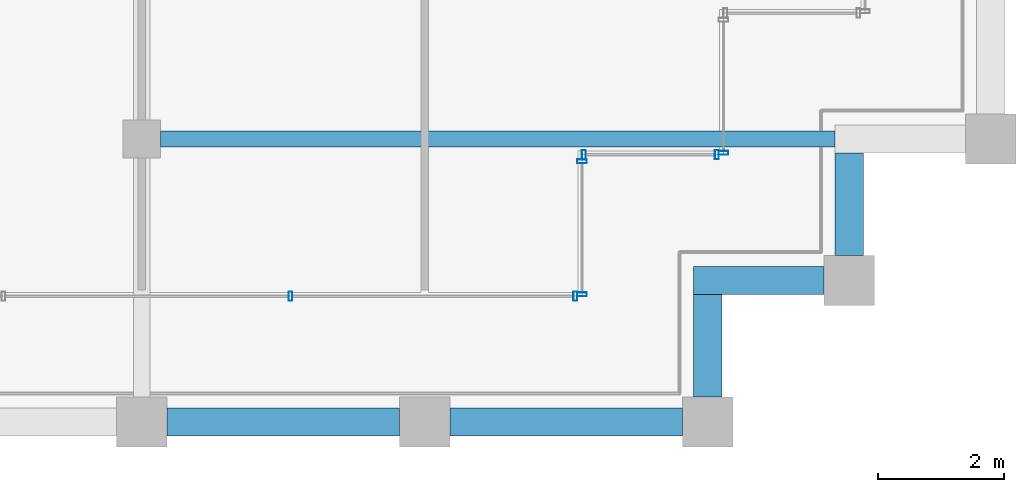
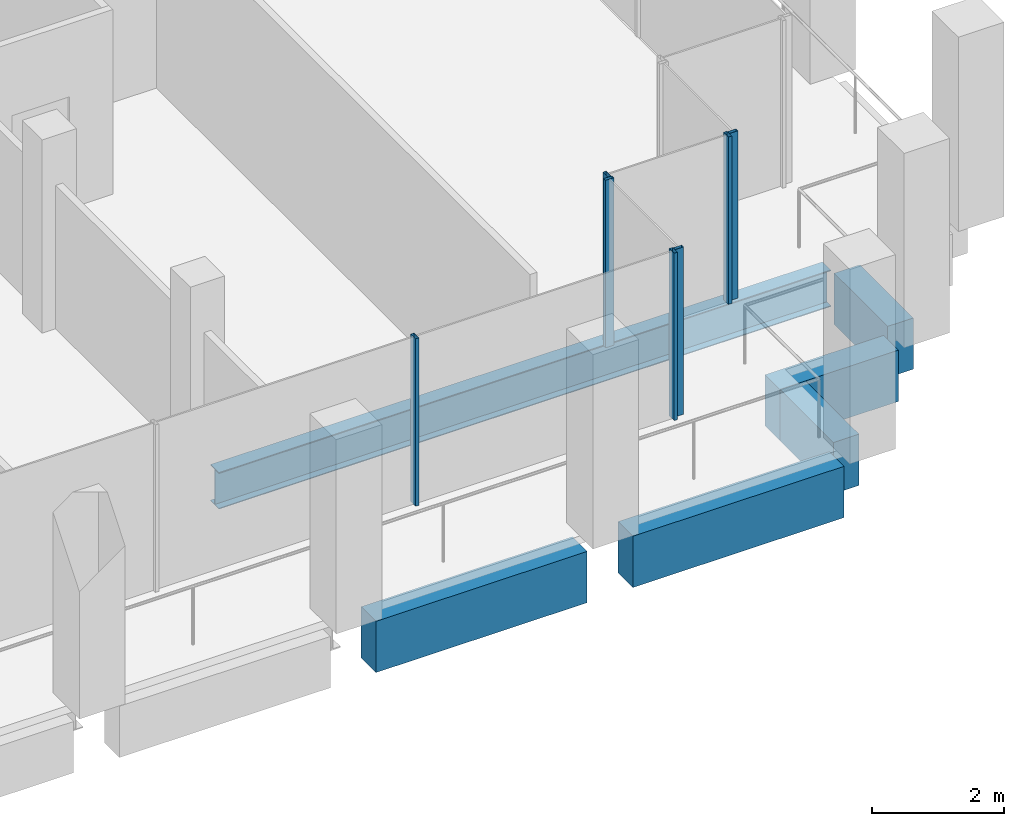
# One storey, part 12 of 30: 7 members, 6 beams, 4 elements without a shape of their own.
"""IFC4 building model written with IfcOpenShell, lengths in metres."""

from ifc_helpers import new_model, si_unit, direction, frame, origin, origin_2d, place, context, subcontext, project, spatial, rectangle, hollow_rectangle, i_section, extrude, material, material_profile, profile_set, type_object, element, aggregate, save


model = new_model("IFC4")

# Units and contexts
model_context = context("Model", 3, precision=1e-05, world=origin(), true_north=direction((0.0, 1.0)))
body_context = subcontext(model_context, "Body", "Model", "MODEL_VIEW")
ifc_project = project(units=[si_unit("LENGTHUNIT", "METRE"), si_unit("AREAUNIT", "SQUARE_METRE"), si_unit("VOLUMEUNIT", "CUBIC_METRE"), si_unit("PLANEANGLEUNIT", "RADIAN"), si_unit("MASSUNIT", "GRAM", prefix="KILO")], contexts=[model_context])

# Site, building, storey
site_placement = place(None, origin())
site = spatial("IfcSite", under=ifc_project, at=site_placement, CompositionType="ELEMENT")
building_placement = place(site_placement, origin())
building = spatial("IfcBuilding", under=site, at=building_placement, Name="Altepetl Exchange Towers", CompositionType="ELEMENT")
storey_placement = place(building_placement, frame((0.0, 0.0, 217.199951171875)))
storey = spatial("IfcBuildingStorey", under=building, at=storey_placement, Name="L55", CompositionType="ELEMENT", Elevation=217.199951171875)

# Beam
ifc_material_1 = material(Name="Steel S355", Category="steel")
ifc_material_profile_1 = material_profile(ifc_material_1, i_section(OverallWidth=0.2529296875, OverallDepth=0.677978515625, WebThickness=0.01171875, FlangeThickness=0.016357421875, at=origin_2d()), Name="W27X84")
ifc_profile_set_1 = profile_set([ifc_material_profile_1], Name="Steel S355")
beam_type_1 = type_object("IfcBeamType", Name="Floor beam W27X84", PredefinedType="BEAM", material=ifc_profile_set_1)
beam_1_placement = place(storey_placement, frame((58.800048828125, 31.5, -0.489013671875), z_axis=(1.0, 0.0, 0.0), x_axis=(0.0, 1.0, 0.0)))
element("IfcBeam", 1, at=beam_1_placement, inside=storey, type_object=beam_type_1, Name="bm:A:L55:006", PredefinedType="BEAM", context=body_context, shape_type="SweptSolid", body=[
    extrude(i_section(OverallWidth=0.2529296875, OverallDepth=0.677978515625, WebThickness=0.01171875, FlangeThickness=0.016357421875, at=origin_2d()), origin(), (0.0, 0.0, 1.0), 10.724853515625),
])

# Curtain wall, members
ifc_material_2 = material(Name="Aluminium 6063-T6 glazing", Category="aluminium")
curtain_wall_type = type_object("IfcCurtainWallType", Name="Loggia glazing system", PredefinedType="NOTDEFINED", material=ifc_material_2)
curtain_wall_1_placement = place(storey_placement, origin())
curtain_wall_1 = element("IfcCurtainWall", 2, at=curtain_wall_1_placement, inside=storey, type_object=curtain_wall_type, Name="CW1 run", PredefinedType="NOTDEFINED")
ifc_material_3 = material(Name="Aluminium 6063-T6", Category="aluminium")
ifc_material_profile_2 = material_profile(ifc_material_3, hollow_rectangle(XDim=0.06005859375, YDim=0.14990234375, WallThickness=0.0029296875, at=origin_2d()), Name="Mullion 60x150 aluminium")
ifc_profile_set_2 = profile_set([ifc_material_profile_2], Name="Aluminium 6063-T6")
member_type = type_object("IfcMemberType", Name="Mullion 60x150 aluminium", PredefinedType="MULLION", material=ifc_profile_set_2)
member_1_placement = place(storey_placement, frame((60.8642578125, 29.0, 0.0)))
member_1 = element("IfcMember", 3, at=member_1_placement, type_object=member_type, Name="MU1 mullion", PredefinedType="MULLION", context=body_context, shape_type="SweptSolid", body=[
    extrude(hollow_rectangle(XDim=0.06005859375, YDim=0.14990234375, WallThickness=0.0029296875, at=origin_2d()), origin(), (0.0, 0.0, 1.0), 3.10009765625),
])
member_2_placement = place(storey_placement, frame((65.39501953125, 29.0, 0.0)))
member_2 = element("IfcMember", 4, at=member_2_placement, type_object=member_type, Name="MU1 mullion", PredefinedType="MULLION", context=body_context, shape_type="SweptSolid", body=[
    extrude(hollow_rectangle(XDim=0.06005859375, YDim=0.14990234375, WallThickness=0.0029296875, at=origin_2d()), origin(), (0.0, 0.0, 1.0), 3.10009765625),
])
aggregate(curtain_wall_1, [member_1, member_2])

curtain_wall_2_placement = place(storey_placement, origin())
curtain_wall_2 = element("IfcCurtainWall", 5, at=curtain_wall_2_placement, inside=storey, type_object=curtain_wall_type, Name="CW1 run", PredefinedType="NOTDEFINED")
member_3_placement = place(storey_placement, frame((65.5, 29.030029296875, 0.0), z_axis=(0.0, 0.0, 1.0), x_axis=(0.0, 1.0, 0.0)))
member_3 = element("IfcMember", 6, at=member_3_placement, type_object=member_type, Name="MU1 mullion", PredefinedType="MULLION", context=body_context, shape_type="SweptSolid", body=[
    extrude(hollow_rectangle(XDim=0.06005859375, YDim=0.14990234375, WallThickness=0.0029296875, at=origin_2d()), origin(), (0.0, 0.0, 1.0), 3.10009765625),
])
member_4_placement = place(storey_placement, frame((65.5, 31.14501953125, 0.0), z_axis=(0.0, 0.0, 1.0), x_axis=(0.0, 1.0, 0.0)))
member_4 = element("IfcMember", 7, at=member_4_placement, type_object=member_type, Name="MU1 mullion", PredefinedType="MULLION", context=body_context, shape_type="SweptSolid", body=[
    extrude(hollow_rectangle(XDim=0.06005859375, YDim=0.14990234375, WallThickness=0.0029296875, at=origin_2d()), origin(), (0.0, 0.0, 1.0), 3.10009765625),
])
aggregate(curtain_wall_2, [member_3, member_4])

curtain_wall_3_placement = place(storey_placement, origin())
curtain_wall_3 = element("IfcCurtainWall", 8, at=curtain_wall_3_placement, inside=storey, type_object=curtain_wall_type, Name="CW1 run", PredefinedType="NOTDEFINED")
member_5_placement = place(storey_placement, frame((65.530029296875, 31.25, 0.0)))
member_5 = element("IfcMember", 9, at=member_5_placement, type_object=member_type, Name="MU1 mullion", PredefinedType="MULLION", context=body_context, shape_type="SweptSolid", body=[
    extrude(hollow_rectangle(XDim=0.06005859375, YDim=0.14990234375, WallThickness=0.0029296875, at=origin_2d()), origin(), (0.0, 0.0, 1.0), 3.10009765625),
])
member_6_placement = place(storey_placement, frame((67.64501953125, 31.25, 0.0)))
member_6 = element("IfcMember", 10, at=member_6_placement, type_object=member_type, Name="MU1 mullion", PredefinedType="MULLION", context=body_context, shape_type="SweptSolid", body=[
    extrude(hollow_rectangle(XDim=0.06005859375, YDim=0.14990234375, WallThickness=0.0029296875, at=origin_2d()), origin(), (0.0, 0.0, 1.0), 3.10009765625),
])
aggregate(curtain_wall_3, [member_5, member_6])

# Curtain wall, member
curtain_wall_4_placement = place(storey_placement, origin())
curtain_wall_4 = element("IfcCurtainWall", 11, at=curtain_wall_4_placement, inside=storey, type_object=curtain_wall_type, Name="CW1 run", PredefinedType="NOTDEFINED")
member_7_placement = place(storey_placement, frame((67.75, 31.280029296875, 0.0), z_axis=(0.0, 0.0, 1.0), x_axis=(0.0, 1.0, 0.0)))
member_7 = element("IfcMember", 12, at=member_7_placement, type_object=member_type, Name="MU1 mullion", PredefinedType="MULLION", context=body_context, shape_type="SweptSolid", body=[
    extrude(hollow_rectangle(XDim=0.06005859375, YDim=0.14990234375, WallThickness=0.0029296875, at=origin_2d()), origin(), (0.0, 0.0, 1.0), 3.10009765625),
])
aggregate(curtain_wall_4, [member_7])

# Beams
ifc_material_4 = material(Name="Concrete C50/60 precast with cantera amarilla facing", Category="concrete")
ifc_material_profile_3 = material_profile(ifc_material_4, rectangle(XDim=0.449951171875, YDim=0.949951171875, at=origin_2d()), Name="450 x 950")
ifc_profile_set_3 = profile_set([ifc_material_profile_3], Name="Concrete C50/60 precast with cantera amarilla facing")
beam_type_2 = type_object("IfcBeamType", Name="Spandrel beam 450x950 cantera amarilla", PredefinedType="SPANDREL", material=ifc_profile_set_3)
for number, where, z_axis, x_axis, name in (
    (13, (58.89990234375, 27.0, -0.625), (1.0, 0.0, 0.0), (0.0, 1.0, 0.0), "sp:A:L55:006"),
    (14, (63.39990234375, 27.0, -0.625), (1.0, 0.0, 0.0), (0.0, 1.0, 0.0), "sp:A:L55:007"),
):
    element("IfcBeam", number, at=place(storey_placement, frame(where, z_axis=z_axis, x_axis=x_axis)), inside=storey, type_object=beam_type_2, Name=name, PredefinedType="SPANDREL", context=body_context, shape_type="SweptSolid", body=[
        extrude(rectangle(XDim=0.449951171875, YDim=0.949951171875, at=origin_2d()), origin(), (0.0, 0.0, 1.0), 3.7001953125),
    ])
beam_2_placement = place(storey_placement, frame((67.5, 27.39990234375, -0.625), z_axis=(0.0, 1.0, 0.0), x_axis=(-1.0, 0.0, 0.0)))
element("IfcBeam", 15, at=beam_2_placement, inside=storey, type_object=beam_type_2, Name="sp:A:L55:008", PredefinedType="SPANDREL", context=body_context, shape_type="SweptSolid", body=[
    extrude(rectangle(XDim=0.449951171875, YDim=0.949951171875, at=origin_2d()), origin(), (0.0, 0.0, 1.0), 1.625),
])
beam_3_placement = place(storey_placement, frame((67.27490234375, 29.25, -0.625), z_axis=(1.0, 0.0, 0.0), x_axis=(0.0, 1.0, 0.0)))
element("IfcBeam", 16, at=beam_3_placement, inside=storey, type_object=beam_type_2, Name="sp:A:L55:009", PredefinedType="SPANDREL", context=body_context, shape_type="SweptSolid", body=[
    extrude(rectangle(XDim=0.449951171875, YDim=0.949951171875, at=origin_2d()), origin(), (0.0, 0.0, 1.0), 2.0751953125),
])
beam_4_placement = place(storey_placement, frame((69.75, 29.64990234375, -0.625), z_axis=(0.0, 1.0, 0.0), x_axis=(-1.0, 0.0, 0.0)))
element("IfcBeam", 17, at=beam_4_placement, inside=storey, type_object=beam_type_2, Name="sp:A:L55:010", PredefinedType="SPANDREL", context=body_context, shape_type="SweptSolid", body=[
    extrude(rectangle(XDim=0.449951171875, YDim=0.949951171875, at=origin_2d()), origin(), (0.0, 0.0, 1.0), 1.625),
])

save(model, "model.ifc")
